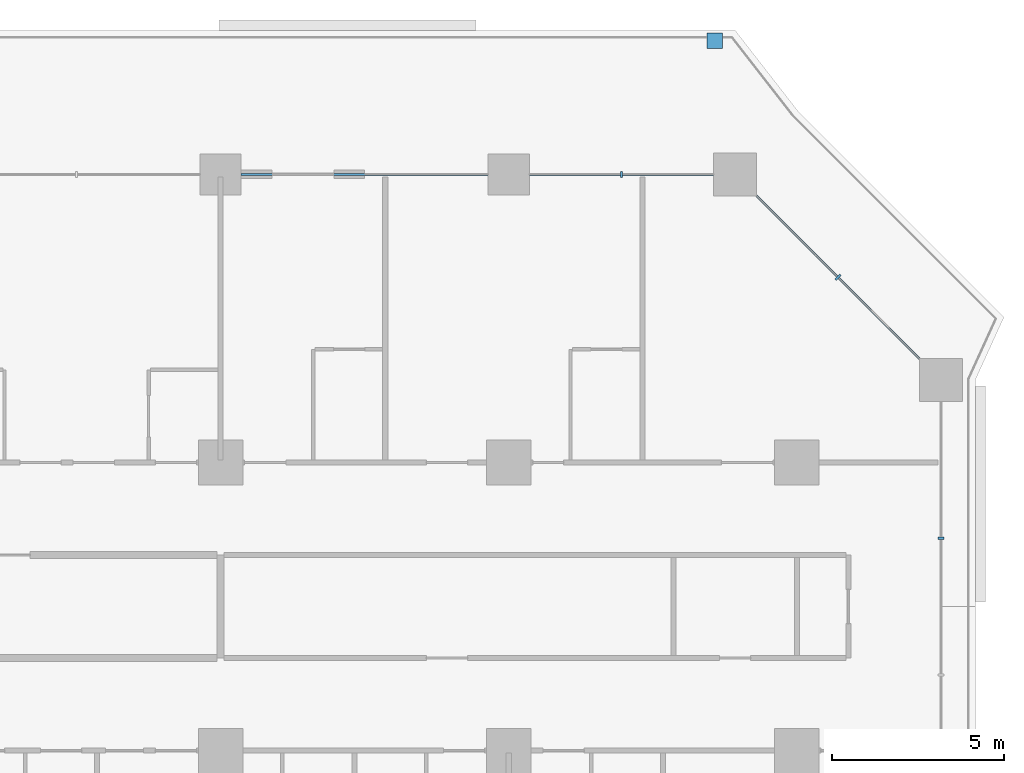
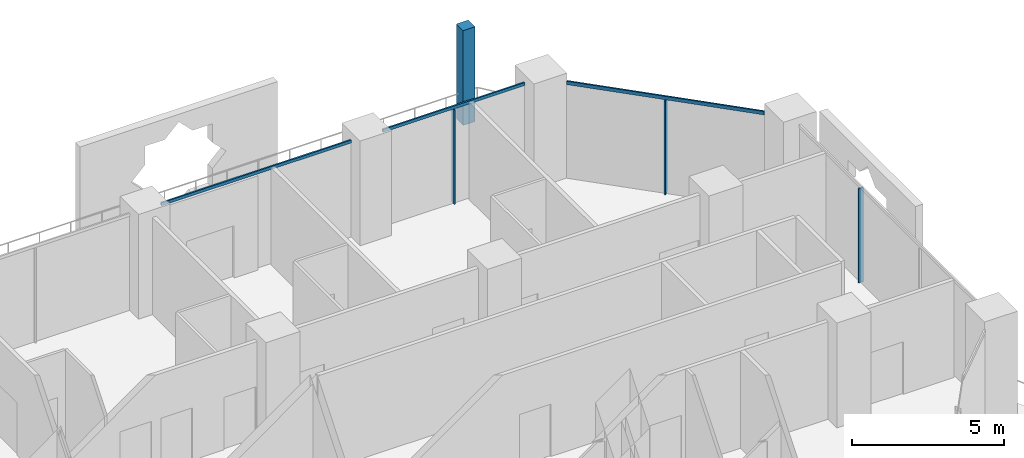
# One storey, part 10 of 26: 7 members, 4 elements without a shape of their own.
"""IFC4 building model written with IfcOpenShell, lengths in metres."""

from ifc_helpers import new_model, si_unit, direction, frame, origin, origin_2d, place, context, subcontext, project, spatial, rectangle, extrude, material, layer, layer_set, material_profile, profile_set, type_object, element, aggregate, save


model = new_model("IFC4")

# Units and contexts
model_context = context("Model", 3, precision=1e-05, world=origin(), true_north=direction((0.0, 1.0)))
body_context = subcontext(model_context, "Body", "Model", "MODEL_VIEW")
ifc_project = project(units=[si_unit("LENGTHUNIT", "METRE"), si_unit("AREAUNIT", "SQUARE_METRE"), si_unit("VOLUMEUNIT", "CUBIC_METRE"), si_unit("PLANEANGLEUNIT", "RADIAN"), si_unit("MASSUNIT", "GRAM", prefix="KILO")], contexts=[model_context])

# Site, building, storey
site_placement = place(None, origin())
site = spatial("IfcSite", under=ifc_project, at=site_placement, CompositionType="ELEMENT")
building_placement = place(site_placement, origin())
building = spatial("IfcBuilding", under=site, at=building_placement, Name="Kawkab Arch Medical Tower", CompositionType="ELEMENT")
storey_placement = place(building_placement, frame((0.0, 0.0, 51.800048828125)))
storey = spatial("IfcBuildingStorey", under=building, at=storey_placement, Name="L11", CompositionType="ELEMENT", Elevation=51.800048828125)

# Curtain wall, member
ifc_material_1 = material(Name="Bronze anodised aluminium curtain wall frame", Category="aluminium")
ifc_layer_1 = layer(ifc_material_1, 0.159912109375)
ifc_layer_set_1 = layer_set([ifc_layer_1], Name="Bronze anodised aluminium curtain wall frame")
curtain_wall_type_1 = type_object("IfcCurtainWallType", Name="CW1 ward curtain wall", PredefinedType="NOTDEFINED", material=ifc_layer_set_1)
placement = place(storey_placement, origin())
curtain_wall_1 = element("IfcCurtainWall", 1, at=placement, inside=storey, type_object=curtain_wall_type_1, Name="CW1 Ward curtain wall R09", PredefinedType="NOTDEFINED")
ifc_material_2 = material(Name="Bronze anodised aluminium curtain wall frame", Category="aluminium")
ifc_material_profile_1 = material_profile(ifc_material_2, rectangle(XDim=0.179931640625, YDim=0.06005859375, at=origin_2d()), Name="AL 60x180")
ifc_profile_set_1 = profile_set([ifc_material_profile_1], Name="Bronze anodised aluminium curtain wall frame")
member_type_1 = type_object("IfcMemberType", Name="CW1 mullion 60 x 180", PredefinedType="MULLION", material=ifc_profile_set_1)
member_1_placement = place(storey_placement, frame((79.800048828125, -10.6083984375, 0.0), z_axis=(0.0, 0.0, 1.0), x_axis=(-1.0, 0.0, 0.0)))
member_1 = element("IfcMember", 2, at=member_1_placement, type_object=member_type_1, Name="CW1 mullion 1.2", PredefinedType="MULLION", context=body_context, shape_type="SweptSolid", body=[
    extrude(rectangle(XDim=0.179931640625, YDim=0.06005859375, at=origin_2d()), origin(), (0.0, 0.0, 1.0), 3.780029296875),
])
aggregate(curtain_wall_1, [member_1])

# Curtain wall, members
curtain_wall_2 = element("IfcCurtainWall", 3, at=placement, inside=storey, type_object=curtain_wall_type_1, Name="CW1 Ward curtain wall R11", PredefinedType="NOTDEFINED")
member_2_placement = place(storey_placement, frame((70.487548828125, 0.0, 0.0), z_axis=(0.0, 0.0, 1.0), x_axis=(0.0, -1.0, 0.0)))
member_2 = element("IfcMember", 4, at=member_2_placement, type_object=member_type_1, Name="CW1 mullion 1.1", PredefinedType="MULLION", context=body_context, shape_type="SweptSolid", body=[
    extrude(rectangle(XDim=0.179931640625, YDim=0.06005859375, at=origin_2d()), origin(), (0.0, 0.0, 1.0), 3.780029296875),
])
ifc_material_3 = material(Name="Bronze anodised aluminium curtain wall frame", Category="aluminium")
ifc_material_profile_2 = material_profile(ifc_material_3, rectangle(XDim=0.06005859375, YDim=0.1201171875, at=origin_2d()), Name="AL 60x120")
ifc_profile_set_2 = profile_set([ifc_material_profile_2], Name="Bronze anodised aluminium curtain wall frame")
member_type_2 = type_object("IfcMemberType", Name="CW1 transom 120 x 60", PredefinedType="USERDEFINED", material=ifc_profile_set_2)
member_3_placement = place(storey_placement, frame((73.175048828125, 0.0, 3.83984375), z_axis=(-1.0, 0.0, 0.0), x_axis=(0.0, -1.0, 0.0)))
member_3 = element("IfcMember", 5, at=member_3_placement, type_object=member_type_2, Name="CW1 transom 1", ObjectType="TRANSOM", PredefinedType="USERDEFINED", context=body_context, shape_type="SweptSolid", body=[
    extrude(rectangle(XDim=0.06005859375, YDim=0.1201171875, at=origin_2d()), origin(), (0.0, 0.0, 1.0), 5.375),
])
member_4_placement = place(storey_placement, frame((66.60009765625, 0.0, 3.83984375), z_axis=(-1.0, 0.0, 0.0), x_axis=(0.0, -1.0, 0.0)))
member_4 = element("IfcMember", 6, at=member_4_placement, type_object=member_type_2, Name="CW1 transom 2", ObjectType="TRANSOM", PredefinedType="USERDEFINED", context=body_context, shape_type="SweptSolid", body=[
    extrude(rectangle(XDim=0.06005859375, YDim=0.1201171875, at=origin_2d()), origin(), (0.0, 0.0, 1.0), 7.2001953125),
])
aggregate(curtain_wall_2, [member_3, member_2, member_4])

ifc_material_4 = material(Name="Bronze anodised aluminium curtain wall frame", Category="aluminium")
ifc_layer_2 = layer(ifc_material_4, 0.159912109375)
ifc_layer_set_2 = layer_set([ifc_layer_2], Name="Bronze anodised aluminium curtain wall frame")
curtain_wall_type_2 = type_object("IfcCurtainWallType", Name="CW2 chamfer curtain wall", PredefinedType="NOTDEFINED", material=ifc_layer_set_2)
curtain_wall_3 = element("IfcCurtainWall", 7, at=placement, inside=storey, type_object=curtain_wall_type_2, Name="CW2 Chamfer curtain wall R10", PredefinedType="NOTDEFINED")
ifc_material_5 = material(Name="Bronze anodised aluminium curtain wall frame", Category="aluminium")
ifc_material_profile_3 = material_profile(ifc_material_5, rectangle(XDim=0.199951171875, YDim=0.06005859375, at=origin_2d()), Name="AL 60x200")
ifc_profile_set_3 = profile_set([ifc_material_profile_3], Name="Bronze anodised aluminium curtain wall frame")
member_type_3 = type_object("IfcMemberType", Name="CW2 mullion 60 x 200", PredefinedType="MULLION", material=ifc_profile_set_3)
member_5_placement = place(storey_placement, frame((76.800048828125, -3.0, 0.0), z_axis=(0.0, 0.0, 1.0), x_axis=(-0.707106781187, -0.707106781187, 0.0)))
member_5 = element("IfcMember", 8, at=member_5_placement, type_object=member_type_3, Name="CW2 mullion 1.1", PredefinedType="MULLION", context=body_context, shape_type="SweptSolid", body=[
    extrude(rectangle(XDim=0.199951171875, YDim=0.06005859375, at=origin_2d()), origin(), (0.0, 0.0, 1.0), 3.760009765625),
])
ifc_material_6 = material(Name="Bronze anodised aluminium curtain wall frame", Category="aluminium")
ifc_material_profile_4 = material_profile(ifc_material_6, rectangle(XDim=0.06005859375, YDim=0.139892578125, at=origin_2d()), Name="AL 60x140")
ifc_profile_set_4 = profile_set([ifc_material_profile_4], Name="Bronze anodised aluminium curtain wall frame")
member_type_4 = type_object("IfcMemberType", Name="CW2 transom 140 x 60", PredefinedType="USERDEFINED", material=ifc_profile_set_4)
member_6_placement = place(storey_placement, frame((79.175048828125, -5.375, 3.829833984375), z_axis=(-0.707106781187, 0.707106781187, 0.0), x_axis=(-0.707106781187, -0.707106781187, 0.0)))
member_6 = element("IfcMember", 9, at=member_6_placement, type_object=member_type_4, Name="CW2 transom 1", ObjectType="TRANSOM", PredefinedType="USERDEFINED", context=body_context, shape_type="SweptSolid", body=[
    extrude(rectangle(XDim=0.06005859375, YDim=0.139892578125, at=origin_2d()), origin(), (0.0, 0.0, 1.0), 6.717529296875),
])
aggregate(curtain_wall_3, [member_6, member_5])

# Curtain wall, member
ifc_material_7 = material(Name="Bronze anodised aluminium climber frame, planted", Category="aluminium")
ifc_layer_3 = layer(ifc_material_7, 0.449951171875)
ifc_layer_set_3 = layer_set([ifc_layer_3], Name="Bronze anodised aluminium climber frame, planted")
curtain_wall_type_3 = type_object("IfcCurtainWallType", Name="Planted climber frame", PredefinedType="NOTDEFINED", material=ifc_layer_set_3)
curtain_wall_4 = element("IfcCurtainWall", 10, at=placement, inside=storey, type_object=curtain_wall_type_3, Name="Planted climber frame L11", PredefinedType="NOTDEFINED")
ifc_material_8 = material(Name="Bronze anodised aluminium climber frame, planted", Category="aluminium")
ifc_material_profile_5 = material_profile(ifc_material_8, rectangle(XDim=0.449951171875, YDim=0.449951171875, at=origin_2d()), Name="Post 450x450")
ifc_profile_set_5 = profile_set([ifc_material_profile_5], Name="Bronze anodised aluminium climber frame, planted")
member_type_5 = type_object("IfcMemberType", Name="Planted climber post 450 x 450", PredefinedType="MULLION", material=ifc_profile_set_5)
member_7_placement = place(storey_placement, frame((73.202880859375, 3.89990234375, 0.0), z_axis=(0.0, 0.0, 1.0), x_axis=(1.0, 0.0, 0.0)))
member_7 = element("IfcMember", 11, at=member_7_placement, type_object=member_type_5, Name="Planted climber post L11.LOG-01-01.2", PredefinedType="MULLION", context=body_context, shape_type="SweptSolid", body=[
    extrude(rectangle(XDim=0.449951171875, YDim=0.449951171875, at=origin_2d()), origin(), (0.0, 0.0, 1.0), 3.800048828125),
])
aggregate(curtain_wall_4, [member_7])

save(model, "model.ifc")
